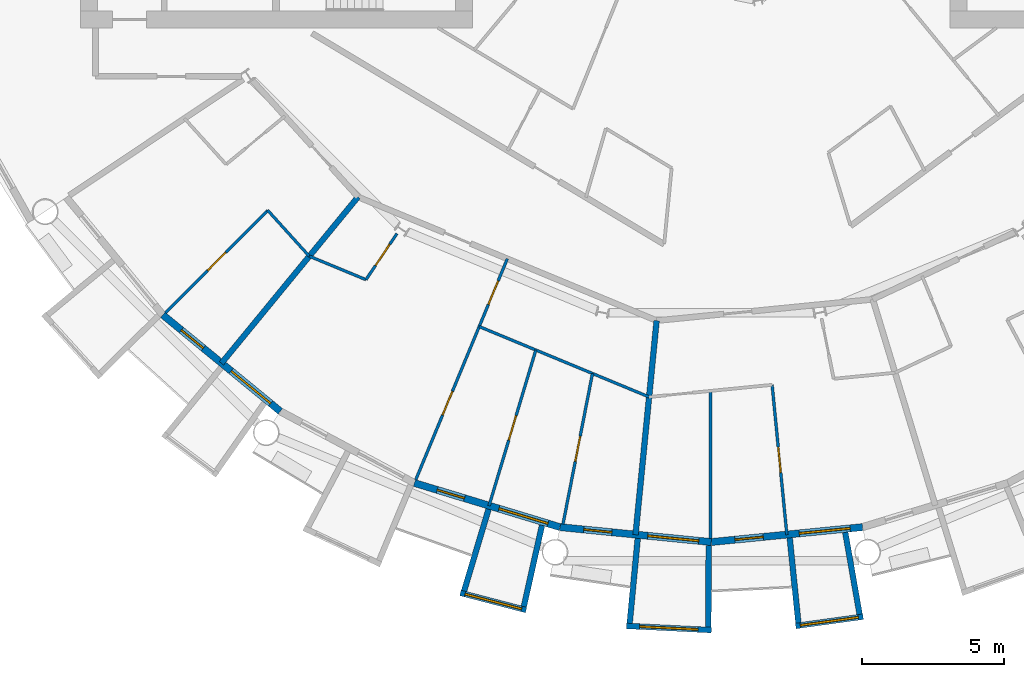
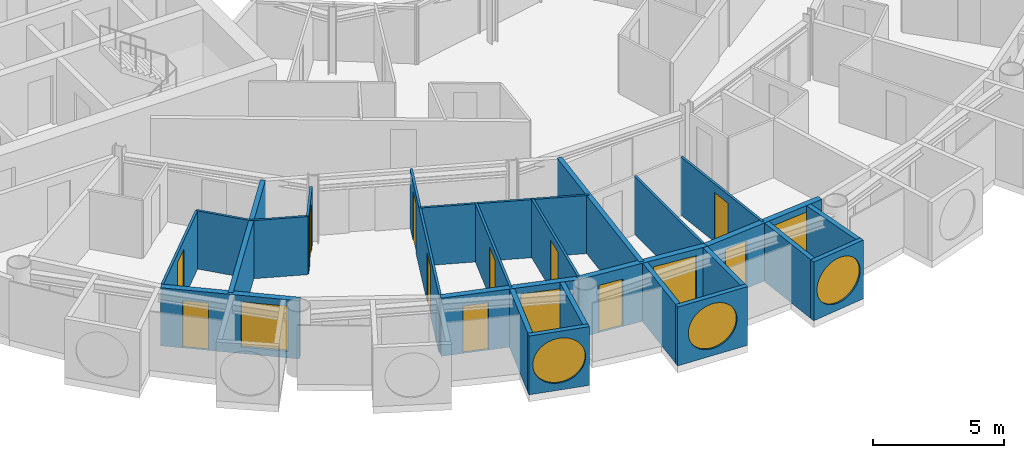
# One storey, part 14 of 27: 25 walls, 11 doors, 7 windows, 18 openings.
"""IFC4 building model written with IfcOpenShell, lengths in metres."""

from ifc_helpers import new_model, si_unit, direction, frame, frame_2d, origin, place, context, subcontext, project, spatial, rectangle, circle, extrude, material, layer, layer_set, type_object, element, fill, save


model = new_model("IFC4")

# Units and contexts
model_context = context("Model", 3, precision=1e-05, world=origin(), true_north=direction((0.0, 1.0)))
body_context = subcontext(model_context, "Body", "Model", "MODEL_VIEW")
ifc_project = project(units=[si_unit("LENGTHUNIT", "METRE"), si_unit("AREAUNIT", "SQUARE_METRE"), si_unit("VOLUMEUNIT", "CUBIC_METRE"), si_unit("PLANEANGLEUNIT", "RADIAN"), si_unit("MASSUNIT", "GRAM", prefix="KILO")], contexts=[model_context])

# Site, building, storey
site_placement = place(None, origin())
site = spatial("IfcSite", under=ifc_project, at=site_placement, CompositionType="ELEMENT")
building_placement = place(site_placement, origin())
building = spatial("IfcBuilding", under=site, at=building_placement, Name="Maasbend Ring Residences", CompositionType="ELEMENT")
storey_placement = place(building_placement, frame((0.0, 0.0, 120.800048828125)))
storey = spatial("IfcBuildingStorey", under=building, at=storey_placement, Name="L34", CompositionType="ELEMENT", Elevation=120.800048828125)

# Wall, opening, window
ifc_material_1 = material(Name="Pale anodised aluminium panel", Category="aluminium")
ifc_layer_1 = layer(ifc_material_1, 0.199951171875)
ifc_layer_set_1 = layer_set([ifc_layer_1], Name="EW-BOX")
wall_type_1 = type_object("IfcWallType", Name="EW-BOX", PredefinedType="SOLIDWALL", material=ifc_layer_set_1)
wall_1_placement = place(storey_placement, frame((-8.827880859375, -29.090087890625, -0.030029296875), z_axis=(0.0, 0.0, 1.0), x_axis=(0.967554339146, -0.252663018266, 0.0)))
wall_1 = element("IfcWall", 1, at=wall_1_placement, inside=storey, type_object=wall_type_1, Name="Box front S08", PredefinedType="SOLIDWALL", context=body_context, shape_type="SweptSolid", body=[
    extrude(rectangle(XDim=2.390625, YDim=0.199951171875, at=frame_2d((1.1953125, 0.0))), origin(), (0.0, 0.0, 1.0), 2.72998046875),
])
opening_1_placement = place(wall_1_placement, frame((0.15576171875, 0.0, 0.330078125)))
opening_1 = element("IfcOpeningElement", 2, at=opening_1_placement, cuts=wall_1, Name="Opening W-RD", PredefinedType="OPENING", context=body_context, shape_type="SweptSolid", body=[
    extrude(circle(Radius=1.0400390625, at=frame_2d((1.0400390625, 1.0400390625))), frame((0.0, 0.10986328125, 0.0), z_axis=(0.0, -1.0, 0.0), x_axis=(1.0, 0.0, 0.0)), (0.0, 0.0, 1.0), 0.219970703125),
])
ifc_material_2 = material(Name="Aluminium and clear glass", Category="aluminium")
window_type_1 = type_object("IfcWindowType", Name="W-RD", PartitioningType="SINGLE_PANEL", PredefinedType="WINDOW", material=ifc_material_2)
window_1_placement = place(opening_1_placement, origin())
window_1 = element("IfcWindow", 3, at=window_1_placement, inside=storey, type_object=window_type_1, Name="Round window S08", OverallHeight=2.080078125, OverallWidth=2.080078125, PartitioningType="SINGLE_PANEL", PredefinedType="WINDOW", context=body_context, shape_type="SweptSolid", body=[
    extrude(circle(Radius=1.0400390625, at=frame_2d((1.0400390625, 1.0400390625))), frame((0.0, 0.030029296875, 0.0), z_axis=(0.0, -1.0, 0.0), x_axis=(1.0, 0.0, 0.0)), (0.0, 0.0, 1.0), 0.06005859375),
])
fill(opening_1, window_1)

# Walls
wall_2_placement = place(storey_placement, frame((-7.8369140625, -26.14404296875, -0.030029296875), z_axis=(0.0, 0.0, 1.0), x_axis=(-0.287064767992, -0.957911174889, 0.0)))
element("IfcWall", 4, at=wall_2_placement, inside=storey, type_object=wall_type_1, Name="Box side wall S08 left", PredefinedType="SOLIDWALL", context=body_context, shape_type="SweptSolid", body=[
    extrude(rectangle(XDim=3.00634765625, YDim=0.199951171875, at=frame_2d((1.503173828125, 0.0))), origin(), (0.0, 0.0, 1.0), 2.72998046875),
])
wall_3_placement = place(storey_placement, frame((-5.95703125, -26.715087890625, -0.030029296875), z_axis=(0.0, 0.0, 1.0), x_axis=(-0.217857287091, -0.975980636315, 0.0)))
element("IfcWall", 5, at=wall_3_placement, inside=storey, type_object=wall_type_1, Name="Box side wall S08 right", PredefinedType="SOLIDWALL", context=body_context, shape_type="SweptSolid", body=[
    extrude(rectangle(XDim=2.92822265625, YDim=0.199951171875, at=frame_2d((1.464111328125, 0.0))), origin(), (0.0, 0.0, 1.0), 2.72998046875),
])

# Wall, opening, window
wall_4_placement = place(storey_placement, frame((-2.985107421875, -30.2529296875, -0.030029296875), z_axis=(0.0, 0.0, 1.0), x_axis=(0.998794083011, -0.049095618353, 0.0)))
wall_4 = element("IfcWall", 6, at=wall_4_placement, inside=storey, type_object=wall_type_1, Name="Box front S10", PredefinedType="SOLIDWALL", context=body_context, shape_type="SweptSolid", body=[
    extrude(rectangle(XDim=2.99365234375, YDim=0.199951171875, at=frame_2d((1.496826171875, 0.0))), origin(), (0.0, 0.0, 1.0), 2.72998046875),
])
opening_2_placement = place(wall_4_placement, frame((0.45654296875, 0.0, 0.330078125)))
opening_2 = element("IfcOpeningElement", 7, at=opening_2_placement, cuts=wall_4, Name="Opening W-RD", PredefinedType="OPENING", context=body_context, shape_type="SweptSolid", body=[
    extrude(circle(Radius=1.0400390625, at=frame_2d((1.0400390625, 1.0400390625))), frame((0.0, 0.10986328125, 0.0), z_axis=(0.0, -1.0, 0.0), x_axis=(1.0, 0.0, 0.0)), (0.0, 0.0, 1.0), 0.219970703125),
])
window_2_placement = place(opening_2_placement, origin())
window_2 = element("IfcWindow", 8, at=window_2_placement, inside=storey, type_object=window_type_1, Name="Round window S10", OverallHeight=2.080078125, OverallWidth=2.080078125, PartitioningType="SINGLE_PANEL", PredefinedType="WINDOW", context=body_context, shape_type="SweptSolid", body=[
    extrude(circle(Radius=1.0400390625, at=frame_2d((1.0400390625, 1.0400390625))), frame((0.0, 0.030029296875, 0.0), z_axis=(0.0, -1.0, 0.0), x_axis=(1.0, 0.0, 0.0)), (0.0, 0.0, 1.0), 0.06005859375),
])
fill(opening_2, window_2)

# Walls
wall_5_placement = place(storey_placement, frame((-2.5859375, -27.1708984375, -0.030029296875), z_axis=(0.0, 0.0, 1.0), x_axis=(-0.094548432284, -0.995520262954, 0.0)))
element("IfcWall", 9, at=wall_5_placement, inside=storey, type_object=wall_type_1, Name="Box side wall S10 left", PredefinedType="SOLIDWALL", context=body_context, shape_type="SweptSolid", body=[
    extrude(rectangle(XDim=3.005615234375, YDim=0.199951171875, at=frame_2d((1.5029296875, 0.0))), origin(), (0.0, 0.0, 1.0), 2.72998046875),
])
wall_6_placement = place(storey_placement, frame((-0.090087890625, -27.4169921875, -0.030029296875), z_axis=(0.0, 0.0, 1.0), x_axis=(-0.00347308367, -0.999993968827, 0.0)))
element("IfcWall", 10, at=wall_6_placement, inside=storey, type_object=wall_type_1, Name="Box side wall S10 right", PredefinedType="SOLIDWALL", context=body_context, shape_type="SweptSolid", body=[
    extrude(rectangle(XDim=2.882080078125, YDim=0.199951171875, at=frame_2d((1.44091796875, 0.0))), origin(), (0.0, 0.0, 1.0), 2.72998046875),
])

# Wall, opening, window
wall_7_placement = place(storey_placement, frame((2.97607421875, -30.25390625, -0.030029296875), z_axis=(0.0, 0.0, 1.0), x_axis=(0.99061207328, 0.136703036805, 0.0)))
wall_7 = element("IfcWall", 11, at=wall_7_placement, inside=storey, type_object=wall_type_1, Name="Box front S12", PredefinedType="SOLIDWALL", context=body_context, shape_type="SweptSolid", body=[
    extrude(rectangle(XDim=2.391357421875, YDim=0.199951171875, at=frame_2d((1.19580078125, 0.0))), origin(), (0.0, 0.0, 1.0), 2.72998046875),
])
opening_3_placement = place(wall_7_placement, frame((0.15576171875, 0.0, 0.330078125)))
opening_3 = element("IfcOpeningElement", 12, at=opening_3_placement, cuts=wall_7, Name="Opening W-RD", PredefinedType="OPENING", context=body_context, shape_type="SweptSolid", body=[
    extrude(circle(Radius=1.0400390625, at=frame_2d((1.0400390625, 1.0400390625))), frame((0.0, 0.10986328125, 0.0), z_axis=(0.0, -1.0, 0.0), x_axis=(1.0, 0.0, 0.0)), (0.0, 0.0, 1.0), 0.219970703125),
])
window_3_placement = place(opening_3_placement, origin())
window_3 = element("IfcWindow", 13, at=window_3_placement, inside=storey, type_object=window_type_1, Name="Round window S12", OverallHeight=2.080078125, OverallWidth=2.080078125, PartitioningType="SINGLE_PANEL", PredefinedType="WINDOW", context=body_context, shape_type="SweptSolid", body=[
    extrude(circle(Radius=1.0400390625, at=frame_2d((1.0400390625, 1.0400390625))), frame((0.0, 0.030029296875, 0.0), z_axis=(0.0, -1.0, 0.0), x_axis=(1.0, 0.0, 0.0)), (0.0, 0.0, 1.0), 0.06005859375),
])
fill(opening_3, window_3)

# Walls
wall_8_placement = place(storey_placement, frame((2.763916015625, -27.153076171875, -0.030029296875), z_axis=(0.0, 0.0, 1.0), x_axis=(0.101505487237, -0.994834979311, 0.0)))
element("IfcWall", 14, at=wall_8_placement, inside=storey, type_object=wall_type_1, Name="Box side wall S12 left", PredefinedType="SOLIDWALL", context=body_context, shape_type="SweptSolid", body=[
    extrude(rectangle(XDim=3.006591796875, YDim=0.199951171875, at=frame_2d((1.50341796875, 0.0))), origin(), (0.0, 0.0, 1.0), 2.72998046875),
])
wall_9_placement = place(storey_placement, frame((4.719970703125, -26.9609375, -0.030029296875), z_axis=(0.0, 0.0, 1.0), x_axis=(0.172463232037, -0.98501595601, 0.0)))
element("IfcWall", 15, at=wall_9_placement, inside=storey, type_object=wall_type_1, Name="Box side wall S12 right", PredefinedType="SOLIDWALL", context=body_context, shape_type="SweptSolid", body=[
    extrude(rectangle(XDim=2.928955078125, YDim=0.199951171875, at=frame_2d((1.46435546875, 0.0))), origin(), (0.0, 0.0, 1.0), 2.72998046875),
])

# Wall, openings, door, window
ifc_material_3 = material(Name="Aluminium clad insulated panel", Category="aluminium")
ifc_layer_2 = layer(ifc_material_3, 0.25)
ifc_layer_set_2 = layer_set([ifc_layer_2], Name="EW-GL")
wall_type_2 = type_object("IfcWallType", Name="EW-GL", PredefinedType="SOLIDWALL", material=ifc_layer_set_2)
wall_10_placement = place(storey_placement, frame((-19.303955078125, -19.303955078125, 0.0), z_axis=(0.0, 0.0, 1.0), x_axis=(0.773019449054, -0.634382322723, 0.0)))
wall_10 = element("IfcWall", 16, at=wall_10_placement, inside=storey, type_object=wall_type_2, Name="External wall S02", PredefinedType="SOLIDWALL", context=body_context, shape_type="SweptSolid", body=[
    extrude(rectangle(XDim=5.351806640625, YDim=0.25, at=frame_2d((2.67578125, 0.0))), origin(), (0.0, 0.0, 1.0), 2.699951171875),
])
opening_4_placement = place(wall_10_placement, frame((0.841064453125, 0.0, 0.0)))
opening_4 = element("IfcOpeningElement", 17, at=opening_4_placement, cuts=wall_10, Name="Opening D-LG", PredefinedType="OPENING", context=body_context, shape_type="SweptSolid", body=[
    extrude(rectangle(XDim=1.0, YDim=2.199951171875, at=frame_2d((0.5, 1.10009765625))), frame((0.0, 0.135009765625, 0.0), z_axis=(0.0, -1.0, 0.0), x_axis=(1.0, 0.0, 0.0)), (0.0, 0.0, 1.0), 0.27001953125),
])
opening_5_placement = place(wall_10_placement, frame((3.110595703125, 0.0, 0.300048828125)))
opening_5 = element("IfcOpeningElement", 18, at=opening_5_placement, cuts=wall_10, Name="Opening W-BX", PredefinedType="OPENING", context=body_context, shape_type="SweptSolid", body=[
    extrude(rectangle(XDim=1.800048828125, YDim=2.10009765625, at=frame_2d((0.89990234375, 1.050048828125))), frame((0.0, 0.135009765625, 0.0), z_axis=(0.0, -1.0, 0.0), x_axis=(1.0, 0.0, 0.0)), (0.0, 0.0, 1.0), 0.27001953125),
])
ifc_material_4 = material(Name="Aluminium and clear glass", Category="aluminium")
door_type_1 = type_object("IfcDoorType", Name="D-LG", OperationType="SINGLE_SWING_LEFT", PredefinedType="DOOR", material=ifc_material_4)
door_1_placement = place(opening_4_placement, origin())
door_1 = element("IfcDoor", 19, at=door_1_placement, inside=storey, type_object=door_type_1, Name="Loggia door S03", OperationType="SINGLE_SWING_LEFT", OverallHeight=2.199951171875, OverallWidth=1.0, PredefinedType="DOOR", context=body_context, shape_type="SweptSolid", body=[
    extrude(rectangle(XDim=1.0, YDim=2.199951171875, at=frame_2d((0.5, 1.10009765625))), frame((0.0, 0.02490234375, 0.0), z_axis=(0.0, -1.0, 0.0), x_axis=(1.0, 0.0, 0.0)), (0.0, 0.0, 1.0), 0.050048828125),
])
fill(opening_4, door_1)
ifc_material_5 = material(Name="Aluminium and clear glass", Category="aluminium")
window_type_2 = type_object("IfcWindowType", Name="W-BX", PartitioningType="DOUBLE_PANEL_VERTICAL", PredefinedType="WINDOW", material=ifc_material_5)
window_4_placement = place(opening_5_placement, origin())
window_4 = element("IfcWindow", 20, at=window_4_placement, inside=storey, type_object=window_type_2, Name="Window S04 room to box", OverallHeight=2.10009765625, OverallWidth=1.800048828125, PartitioningType="SINGLE_PANEL", PredefinedType="WINDOW", context=body_context, shape_type="SweptSolid", body=[
    extrude(rectangle(XDim=1.800048828125, YDim=2.10009765625, at=frame_2d((0.89990234375, 1.050048828125))), frame((0.0, 0.030029296875, 0.0), z_axis=(0.0, -1.0, 0.0), x_axis=(1.0, 0.0, 0.0)), (0.0, 0.0, 1.0), 0.06005859375),
])
fill(opening_5, window_4)

wall_11_placement = place(storey_placement, frame((-10.447021484375, -25.221923828125, 0.0), z_axis=(0.0, 0.0, 1.0), x_axis=(0.956965678721, -0.290201119486, 0.0)))
wall_11 = element("IfcWall", 21, at=wall_11_placement, inside=storey, type_object=wall_type_2, Name="External wall S04", PredefinedType="SOLIDWALL", context=body_context, shape_type="SweptSolid", body=[
    extrude(rectangle(XDim=5.351318359375, YDim=0.25, at=frame_2d((2.67578125, 0.0))), origin(), (0.0, 0.0, 1.0), 2.699951171875),
])
opening_6_placement = place(wall_11_placement, frame((0.841064453125, 0.0, 0.0)))
opening_6 = element("IfcOpeningElement", 22, at=opening_6_placement, cuts=wall_11, Name="Opening D-LG", PredefinedType="OPENING", context=body_context, shape_type="SweptSolid", body=[
    extrude(rectangle(XDim=1.0, YDim=2.199951171875, at=frame_2d((0.5, 1.10009765625))), frame((0.0, 0.135009765625, 0.0), z_axis=(0.0, -1.0, 0.0), x_axis=(1.0, 0.0, 0.0)), (0.0, 0.0, 1.0), 0.27001953125),
])
opening_7_placement = place(wall_11_placement, frame((3.110595703125, 0.0, 0.300048828125)))
opening_7 = element("IfcOpeningElement", 23, at=opening_7_placement, cuts=wall_11, Name="Opening W-BX", PredefinedType="OPENING", context=body_context, shape_type="SweptSolid", body=[
    extrude(rectangle(XDim=1.800048828125, YDim=2.10009765625, at=frame_2d((0.89990234375, 1.050048828125))), frame((0.0, 0.135009765625, 0.0), z_axis=(0.0, -1.0, 0.0), x_axis=(1.0, 0.0, 0.0)), (0.0, 0.0, 1.0), 0.27001953125),
])
door_2_placement = place(opening_6_placement, origin())
door_2 = element("IfcDoor", 24, at=door_2_placement, inside=storey, type_object=door_type_1, Name="Loggia door S07", OperationType="SINGLE_SWING_LEFT", OverallHeight=2.199951171875, OverallWidth=1.0, PredefinedType="DOOR", context=body_context, shape_type="SweptSolid", body=[
    extrude(rectangle(XDim=1.0, YDim=2.199951171875, at=frame_2d((0.5, 1.10009765625))), frame((0.0, 0.02490234375, 0.0), z_axis=(0.0, -1.0, 0.0), x_axis=(1.0, 0.0, 0.0)), (0.0, 0.0, 1.0), 0.050048828125),
])
fill(opening_6, door_2)
window_5_placement = place(opening_7_placement, origin())
window_5 = element("IfcWindow", 25, at=window_5_placement, inside=storey, type_object=window_type_2, Name="Window S08 room to box", OverallHeight=2.10009765625, OverallWidth=1.800048828125, PartitioningType="SINGLE_PANEL", PredefinedType="WINDOW", context=body_context, shape_type="SweptSolid", body=[
    extrude(rectangle(XDim=1.800048828125, YDim=2.10009765625, at=frame_2d((0.89990234375, 1.050048828125))), frame((0.0, 0.030029296875, 0.0), z_axis=(0.0, -1.0, 0.0), x_axis=(1.0, 0.0, 0.0)), (0.0, 0.0, 1.0), 0.06005859375),
])
fill(opening_7, window_5)

wall_12_placement = place(storey_placement, frame((-5.325927734375, -26.77490234375, 0.0), z_axis=(0.0, 0.0, 1.0), x_axis=(0.995173996315, -0.098126026407, 0.0)))
wall_12 = element("IfcWall", 26, at=wall_12_placement, inside=storey, type_object=wall_type_2, Name="External wall S05", PredefinedType="SOLIDWALL", context=body_context, shape_type="SweptSolid", body=[
    extrude(rectangle(XDim=5.351806640625, YDim=0.25, at=frame_2d((2.67578125, 0.0))), origin(), (0.0, 0.0, 1.0), 2.699951171875),
])
opening_8_placement = place(wall_12_placement, frame((0.841064453125, 0.0, 0.0)))
opening_8 = element("IfcOpeningElement", 27, at=opening_8_placement, cuts=wall_12, Name="Opening D-LG", PredefinedType="OPENING", context=body_context, shape_type="SweptSolid", body=[
    extrude(rectangle(XDim=1.0, YDim=2.199951171875, at=frame_2d((0.5, 1.10009765625))), frame((0.0, 0.135009765625, 0.0), z_axis=(0.0, -1.0, 0.0), x_axis=(1.0, 0.0, 0.0)), (0.0, 0.0, 1.0), 0.27001953125),
])
opening_9_placement = place(wall_12_placement, frame((3.110595703125, 0.0, 0.300048828125)))
opening_9 = element("IfcOpeningElement", 28, at=opening_9_placement, cuts=wall_12, Name="Opening W-BX", PredefinedType="OPENING", context=body_context, shape_type="SweptSolid", body=[
    extrude(rectangle(XDim=1.800048828125, YDim=2.10009765625, at=frame_2d((0.89990234375, 1.050048828125))), frame((0.0, 0.135009765625, 0.0), z_axis=(0.0, -1.0, 0.0), x_axis=(1.0, 0.0, 0.0)), (0.0, 0.0, 1.0), 0.27001953125),
])
door_3_placement = place(opening_8_placement, origin())
door_3 = element("IfcDoor", 29, at=door_3_placement, inside=storey, type_object=door_type_1, Name="Loggia door S09", OperationType="SINGLE_SWING_LEFT", OverallHeight=2.199951171875, OverallWidth=1.0, PredefinedType="DOOR", context=body_context, shape_type="SweptSolid", body=[
    extrude(rectangle(XDim=1.0, YDim=2.199951171875, at=frame_2d((0.5, 1.10009765625))), frame((0.0, 0.02490234375, 0.0), z_axis=(0.0, -1.0, 0.0), x_axis=(1.0, 0.0, 0.0)), (0.0, 0.0, 1.0), 0.050048828125),
])
fill(opening_8, door_3)
window_6_placement = place(opening_9_placement, origin())
window_6 = element("IfcWindow", 30, at=window_6_placement, inside=storey, type_object=window_type_2, Name="Window S10 room to box", OverallHeight=2.10009765625, OverallWidth=1.800048828125, PartitioningType="SINGLE_PANEL", PredefinedType="WINDOW", context=body_context, shape_type="SweptSolid", body=[
    extrude(rectangle(XDim=1.800048828125, YDim=2.10009765625, at=frame_2d((0.89990234375, 1.050048828125))), frame((0.0, 0.030029296875, 0.0), z_axis=(0.0, -1.0, 0.0), x_axis=(1.0, 0.0, 0.0)), (0.0, 0.0, 1.0), 0.06005859375),
])
fill(opening_9, window_6)

wall_13_placement = place(storey_placement, frame((0.0, -27.300048828125, 0.0), z_axis=(0.0, 0.0, 1.0), x_axis=(0.995173996315, 0.098126026407, 0.0)))
wall_13 = element("IfcWall", 31, at=wall_13_placement, inside=storey, type_object=wall_type_2, Name="External wall S06", PredefinedType="SOLIDWALL", context=body_context, shape_type="SweptSolid", body=[
    extrude(rectangle(XDim=5.351806640625, YDim=0.25, at=frame_2d((2.67578125, 0.0))), origin(), (0.0, 0.0, 1.0), 2.699951171875),
])
opening_10_placement = place(wall_13_placement, frame((0.841064453125, 0.0, 0.0)))
opening_10 = element("IfcOpeningElement", 32, at=opening_10_placement, cuts=wall_13, Name="Opening D-LG", PredefinedType="OPENING", context=body_context, shape_type="SweptSolid", body=[
    extrude(rectangle(XDim=1.0, YDim=2.199951171875, at=frame_2d((0.5, 1.10009765625))), frame((0.0, 0.135009765625, 0.0), z_axis=(0.0, -1.0, 0.0), x_axis=(1.0, 0.0, 0.0)), (0.0, 0.0, 1.0), 0.27001953125),
])
opening_11_placement = place(wall_13_placement, frame((3.110595703125, 0.0, 0.300048828125)))
opening_11 = element("IfcOpeningElement", 33, at=opening_11_placement, cuts=wall_13, Name="Opening W-BX", PredefinedType="OPENING", context=body_context, shape_type="SweptSolid", body=[
    extrude(rectangle(XDim=1.800048828125, YDim=2.10009765625, at=frame_2d((0.89990234375, 1.050048828125))), frame((0.0, 0.135009765625, 0.0), z_axis=(0.0, -1.0, 0.0), x_axis=(1.0, 0.0, 0.0)), (0.0, 0.0, 1.0), 0.27001953125),
])
door_4_placement = place(opening_10_placement, origin())
door_4 = element("IfcDoor", 34, at=door_4_placement, inside=storey, type_object=door_type_1, Name="Loggia door S11", OperationType="SINGLE_SWING_LEFT", OverallHeight=2.199951171875, OverallWidth=1.0, PredefinedType="DOOR", context=body_context, shape_type="SweptSolid", body=[
    extrude(rectangle(XDim=1.0, YDim=2.199951171875, at=frame_2d((0.5, 1.10009765625))), frame((0.0, 0.02490234375, 0.0), z_axis=(0.0, -1.0, 0.0), x_axis=(1.0, 0.0, 0.0)), (0.0, 0.0, 1.0), 0.050048828125),
])
fill(opening_10, door_4)
window_7_placement = place(opening_11_placement, origin())
window_7 = element("IfcWindow", 35, at=window_7_placement, inside=storey, type_object=window_type_2, Name="Window S12 room to box", OverallHeight=2.10009765625, OverallWidth=1.800048828125, PartitioningType="SINGLE_PANEL", PredefinedType="WINDOW", context=body_context, shape_type="SweptSolid", body=[
    extrude(rectangle(XDim=1.800048828125, YDim=2.10009765625, at=frame_2d((0.89990234375, 1.050048828125))), frame((0.0, 0.030029296875, 0.0), z_axis=(0.0, -1.0, 0.0), x_axis=(1.0, 0.0, 0.0)), (0.0, 0.0, 1.0), 0.06005859375),
])
fill(opening_11, window_7)

# Walls
ifc_material_6 = material(Name="Gypsum board on steel studs", Category="steel")
ifc_layer_3 = layer(ifc_material_6, 0.10009765625)
ifc_layer_set_3 = layer_set([ifc_layer_3], Name="PARTITION 100 GYPSUM")
wall_type_3 = type_object("IfcWallType", Name="PARTITION 100 GYPSUM", PredefinedType="PARTITIONING", material=ifc_layer_set_3)
wall_14_placement = place(storey_placement, frame((-15.616943359375, -15.616943359375, 0.0), z_axis=(0.0, 0.0, 1.0), x_axis=(0.671144831591, -0.741326254107, 0.0)))
element("IfcWall", 36, at=wall_14_placement, inside=storey, type_object=wall_type_3, Name="U-L34-w002", PredefinedType="PARTITIONING", context=body_context, shape_type="SweptSolid", body=[
    extrude(rectangle(XDim=2.18115234375, YDim=0.10009765625, at=frame_2d((1.090576171875, 0.0))), origin(), (0.0, 0.0, 1.0), 2.699951171875),
])
wall_15_placement = place(storey_placement, frame((-14.14697265625, -17.238037109375, 0.0), z_axis=(0.0, 0.0, 1.0), x_axis=(0.923874819588, -0.382694810171, 0.0)))
element("IfcWall", 37, at=wall_15_placement, inside=storey, type_object=wall_type_3, Name="U-L34-w011", PredefinedType="PARTITIONING", context=body_context, shape_type="SweptSolid", body=[
    extrude(rectangle(XDim=2.158203125, YDim=0.10009765625, at=frame_2d((1.0791015625, 0.0))), origin(), (0.0, 0.0, 1.0), 2.699951171875),
])
wall_16_placement = place(storey_placement, frame((-8.1640625, -19.716064453125, 0.0), z_axis=(0.0, 0.0, 1.0), x_axis=(0.92387253274, -0.38270033087, 0.0)))
element("IfcWall", 38, at=wall_16_placement, inside=storey, type_object=wall_type_3, Name="U-L34-w012", PredefinedType="PARTITIONING", context=body_context, shape_type="SweptSolid", body=[
    extrude(rectangle(XDim=6.47509765625, YDim=0.10009765625, at=frame_2d((3.237548828125, 0.0))), origin(), (0.0, 0.0, 1.0), 2.699951171875),
])

# Wall, opening, door
wall_17_placement = place(storey_placement, frame((-19.2099609375, -19.221923828125, 0.0), z_axis=(0.0, 0.0, 1.0), x_axis=(0.706914880313, 0.707298629994, 0.0)))
wall_17 = element("IfcWall", 39, at=wall_17_placement, inside=storey, type_object=wall_type_3, Name="U-L34-w036", PredefinedType="PARTITIONING", context=body_context, shape_type="SweptSolid", body=[
    extrude(rectangle(XDim=5.089599609375, YDim=0.10009765625, at=frame_2d((2.544921875, 0.0))), origin(), (0.0, 0.0, 1.0), 2.699951171875),
])
opening_12_placement = place(wall_17_placement, frame((2.094970703125, 0.0, 0.0)))
opening_12 = element("IfcOpeningElement", 40, at=opening_12_placement, cuts=wall_17, Name="Opening D-3435", PredefinedType="OPENING", context=body_context, shape_type="SweptSolid", body=[
    extrude(rectangle(XDim=0.89990234375, YDim=2.300048828125, at=frame_2d((0.449951171875, 1.14990234375))), frame((0.0, 0.06005859375, 0.0), z_axis=(0.0, -1.0, 0.0), x_axis=(1.0, 0.0, 0.0)), (0.0, 0.0, 1.0), 0.1201171875),
])
ifc_material_7 = material(Name="Timber, painted", Category="wood")
door_type_2 = type_object("IfcDoorType", Name="INTERNAL DOOR 900 X 2300", OperationType="NOTDEFINED", PredefinedType="DOOR", material=ifc_material_7)
door_5_placement = place(opening_12_placement, origin())
door_5 = element("IfcDoor", 41, at=door_5_placement, inside=storey, type_object=door_type_2, Name="D-3435", OperationType="SINGLE_SWING_RIGHT", OverallHeight=2.300048828125, OverallWidth=0.89990234375, PredefinedType="DOOR", context=body_context, shape_type="SweptSolid", body=[
    extrude(rectangle(XDim=0.89990234375, YDim=2.300048828125, at=frame_2d((0.449951171875, 1.14990234375))), frame((0.0, 0.02490234375, 0.0), z_axis=(0.0, -1.0, 0.0), x_axis=(1.0, 0.0, 0.0)), (0.0, 0.0, 1.0), 0.050048828125),
])
fill(opening_12, door_5)

wall_18_placement = place(storey_placement, frame((-12.153076171875, -18.06396484375, 0.0), z_axis=(0.0, 0.0, 1.0), x_axis=(0.557893831879, 0.829912328112, 0.0)))
wall_18 = element("IfcWall", 42, at=wall_18_placement, inside=storey, type_object=wall_type_3, Name="U-L34-w042", PredefinedType="PARTITIONING", context=body_context, shape_type="SweptSolid", body=[
    extrude(rectangle(XDim=1.95556640625, YDim=0.10009765625, at=frame_2d((0.977783203125, 0.0))), origin(), (0.0, 0.0, 1.0), 2.699951171875),
])
opening_13_placement = place(wall_18_placement, frame((0.60009765625, 0.0, 0.0)))
opening_13 = element("IfcOpeningElement", 43, at=opening_13_placement, cuts=wall_18, Name="Opening D-3437", PredefinedType="OPENING", context=body_context, shape_type="SweptSolid", body=[
    extrude(rectangle(XDim=0.89990234375, YDim=2.300048828125, at=frame_2d((0.449951171875, 1.14990234375))), frame((0.0, 0.06005859375, 0.0), z_axis=(0.0, -1.0, 0.0), x_axis=(1.0, 0.0, 0.0)), (0.0, 0.0, 1.0), 0.1201171875),
])
door_6_placement = place(opening_13_placement, origin())
door_6 = element("IfcDoor", 44, at=door_6_placement, inside=storey, type_object=door_type_2, Name="D-3437", OperationType="SINGLE_SWING_RIGHT", OverallHeight=2.300048828125, OverallWidth=0.89990234375, PredefinedType="DOOR", context=body_context, shape_type="SweptSolid", body=[
    extrude(rectangle(XDim=0.89990234375, YDim=2.300048828125, at=frame_2d((0.449951171875, 1.14990234375))), frame((0.0, 0.02490234375, 0.0), z_axis=(0.0, -1.0, 0.0), x_axis=(1.0, 0.0, 0.0)), (0.0, 0.0, 1.0), 0.050048828125),
])
fill(opening_13, door_6)

# Wall, openings, doors
wall_19_placement = place(storey_placement, frame((-10.39892578125, -25.10595703125, 0.0), z_axis=(0.0, 0.0, 1.0), x_axis=(0.382697543868, 0.923873687209, 0.0)))
wall_19 = element("IfcWall", 45, at=wall_19_placement, inside=storey, type_object=wall_type_3, Name="U-L34-w043", PredefinedType="PARTITIONING", context=body_context, shape_type="SweptSolid", body=[
    extrude(rectangle(XDim=8.4189453125, YDim=0.10009765625, at=frame_2d((4.20947265625, 0.0))), origin(), (0.0, 0.0, 1.0), 2.699951171875),
])
opening_14_placement = place(wall_19_placement, frame((6.677001953125, 0.0, 0.0)))
opening_14 = element("IfcOpeningElement", 46, at=opening_14_placement, cuts=wall_19, Name="Opening D-3438", PredefinedType="OPENING", context=body_context, shape_type="SweptSolid", body=[
    extrude(rectangle(XDim=0.89990234375, YDim=2.300048828125, at=frame_2d((0.449951171875, 1.14990234375))), frame((0.0, 0.06005859375, 0.0), z_axis=(0.0, -1.0, 0.0), x_axis=(1.0, 0.0, 0.0)), (0.0, 0.0, 1.0), 0.1201171875),
])
opening_15_placement = place(wall_19_placement, frame((2.468017578125, 0.0, 0.0)))
opening_15 = element("IfcOpeningElement", 47, at=opening_15_placement, cuts=wall_19, Name="Opening D-3439", PredefinedType="OPENING", context=body_context, shape_type="SweptSolid", body=[
    extrude(rectangle(XDim=0.89990234375, YDim=2.300048828125, at=frame_2d((0.449951171875, 1.14990234375))), frame((0.0, 0.06005859375, 0.0), z_axis=(0.0, -1.0, 0.0), x_axis=(1.0, 0.0, 0.0)), (0.0, 0.0, 1.0), 0.1201171875),
])
door_7_placement = place(opening_14_placement, origin())
door_7 = element("IfcDoor", 48, at=door_7_placement, inside=storey, type_object=door_type_2, Name="D-3438", OperationType="SINGLE_SWING_RIGHT", OverallHeight=2.300048828125, OverallWidth=0.89990234375, PredefinedType="DOOR", context=body_context, shape_type="SweptSolid", body=[
    extrude(rectangle(XDim=0.89990234375, YDim=2.300048828125, at=frame_2d((0.449951171875, 1.14990234375))), frame((0.0, 0.02490234375, 0.0), z_axis=(0.0, -1.0, 0.0), x_axis=(1.0, 0.0, 0.0)), (0.0, 0.0, 1.0), 0.050048828125),
])
fill(opening_14, door_7)
door_8_placement = place(opening_15_placement, origin())
door_8 = element("IfcDoor", 49, at=door_8_placement, inside=storey, type_object=door_type_2, Name="D-3439", OperationType="SINGLE_SWING_LEFT", OverallHeight=2.300048828125, OverallWidth=0.89990234375, PredefinedType="DOOR", context=body_context, shape_type="SweptSolid", body=[
    extrude(rectangle(XDim=0.89990234375, YDim=2.300048828125, at=frame_2d((0.449951171875, 1.14990234375))), frame((0.0, 0.02490234375, 0.0), z_axis=(0.0, -1.0, 0.0), x_axis=(1.0, 0.0, 0.0)), (0.0, 0.0, 1.0), 0.050048828125),
])
fill(opening_15, door_8)

# Wall, opening, door
wall_20_placement = place(storey_placement, frame((-7.821044921875, -26.02490234375, 0.0), z_axis=(0.0, 0.0, 1.0), x_axis=(0.287793773423, 0.957692405723, 0.0)))
wall_20 = element("IfcWall", 50, at=wall_20_placement, inside=storey, type_object=wall_type_3, Name="U-L34-w047", PredefinedType="PARTITIONING", context=body_context, shape_type="SweptSolid", body=[
    extrude(rectangle(XDim=5.72607421875, YDim=0.10009765625, at=frame_2d((2.863037109375, 0.0))), origin(), (0.0, 0.0, 1.0), 2.699951171875),
])
opening_16_placement = place(wall_20_placement, frame((2.4130859375, 0.0, 0.0)))
opening_16 = element("IfcOpeningElement", 51, at=opening_16_placement, cuts=wall_20, Name="Opening D-3440", PredefinedType="OPENING", context=body_context, shape_type="SweptSolid", body=[
    extrude(rectangle(XDim=0.89990234375, YDim=2.300048828125, at=frame_2d((0.449951171875, 1.14990234375))), frame((0.0, 0.06005859375, 0.0), z_axis=(0.0, -1.0, 0.0), x_axis=(1.0, 0.0, 0.0)), (0.0, 0.0, 1.0), 0.1201171875),
])
door_9_placement = place(opening_16_placement, origin())
door_9 = element("IfcDoor", 52, at=door_9_placement, inside=storey, type_object=door_type_2, Name="D-3440", OperationType="SINGLE_SWING_LEFT", OverallHeight=2.300048828125, OverallWidth=0.89990234375, PredefinedType="DOOR", context=body_context, shape_type="SweptSolid", body=[
    extrude(rectangle(XDim=0.89990234375, YDim=2.300048828125, at=frame_2d((0.449951171875, 1.14990234375))), frame((0.0, 0.02490234375, 0.0), z_axis=(0.0, -1.0, 0.0), x_axis=(1.0, 0.0, 0.0)), (0.0, 0.0, 1.0), 0.050048828125),
])
fill(opening_16, door_9)

wall_21_placement = place(storey_placement, frame((-5.217041015625, -26.669921875, 0.0), z_axis=(0.0, 0.0, 1.0), x_axis=(0.192109041462, 0.981373586453, 0.0)))
wall_21 = element("IfcWall", 53, at=wall_21_placement, inside=storey, type_object=wall_type_3, Name="U-L34-w050", PredefinedType="PARTITIONING", context=body_context, shape_type="SweptSolid", body=[
    extrude(rectangle(XDim=5.403564453125, YDim=0.10009765625, at=frame_2d((2.70166015625, 0.0))), origin(), (0.0, 0.0, 1.0), 2.699951171875),
])
opening_17_placement = place(wall_21_placement, frame((2.251953125, 0.0, 0.0)))
opening_17 = element("IfcOpeningElement", 54, at=opening_17_placement, cuts=wall_21, Name="Opening D-3441", PredefinedType="OPENING", context=body_context, shape_type="SweptSolid", body=[
    extrude(rectangle(XDim=0.89990234375, YDim=2.300048828125, at=frame_2d((0.449951171875, 1.14990234375))), frame((0.0, 0.06005859375, 0.0), z_axis=(0.0, -1.0, 0.0), x_axis=(1.0, 0.0, 0.0)), (0.0, 0.0, 1.0), 0.1201171875),
])
door_10_placement = place(opening_17_placement, origin())
door_10 = element("IfcDoor", 55, at=door_10_placement, inside=storey, type_object=door_type_2, Name="D-3441", OperationType="SINGLE_SWING_RIGHT", OverallHeight=2.300048828125, OverallWidth=0.89990234375, PredefinedType="DOOR", context=body_context, shape_type="SweptSolid", body=[
    extrude(rectangle(XDim=0.89990234375, YDim=2.300048828125, at=frame_2d((0.449951171875, 1.14990234375))), frame((0.0, 0.02490234375, 0.0), z_axis=(0.0, -1.0, 0.0), x_axis=(1.0, 0.0, 0.0)), (0.0, 0.0, 1.0), 0.050048828125),
])
fill(opening_17, door_10)

# Wall
wall_22_placement = place(storey_placement, frame((-0.02587890625, -27.175048828125, 0.0), z_axis=(0.0, 0.0, 1.0), x_axis=(0.00093971673, 0.999999558466, 0.0)))
element("IfcWall", 56, at=wall_22_placement, inside=storey, type_object=wall_type_3, Name="U-L34-w056", PredefinedType="PARTITIONING", context=body_context, shape_type="SweptSolid", body=[
    extrude(rectangle(XDim=5.196044921875, YDim=0.10009765625, at=frame_2d((2.59814453125, 0.0))), origin(), (0.0, 0.0, 1.0), 2.699951171875),
])

# Wall, opening, door
wall_23_placement = place(storey_placement, frame((2.14404296875, -21.76611328125, 0.0), z_axis=(0.0, 0.0, 1.0), x_axis=(0.098054199821, -0.995181075934, 0.0)))
wall_23 = element("IfcWall", 57, at=wall_23_placement, inside=storey, type_object=wall_type_3, Name="U-L34-w060", PredefinedType="PARTITIONING", context=body_context, shape_type="SweptSolid", body=[
    extrude(rectangle(XDim=5.303466796875, YDim=0.10009765625, at=frame_2d((2.65185546875, 0.0))), origin(), (0.0, 0.0, 1.0), 2.699951171875),
])
opening_18_placement = place(wall_23_placement, frame((2.201904296875, 0.0, 0.0)))
opening_18 = element("IfcOpeningElement", 58, at=opening_18_placement, cuts=wall_23, Name="Opening D-3444", PredefinedType="OPENING", context=body_context, shape_type="SweptSolid", body=[
    extrude(rectangle(XDim=0.89990234375, YDim=2.300048828125, at=frame_2d((0.449951171875, 1.14990234375))), frame((0.0, 0.06005859375, 0.0), z_axis=(0.0, -1.0, 0.0), x_axis=(1.0, 0.0, 0.0)), (0.0, 0.0, 1.0), 0.1201171875),
])
door_11_placement = place(opening_18_placement, origin())
door_11 = element("IfcDoor", 59, at=door_11_placement, inside=storey, type_object=door_type_2, Name="D-3444", OperationType="SINGLE_SWING_RIGHT", OverallHeight=2.300048828125, OverallWidth=0.89990234375, PredefinedType="DOOR", context=body_context, shape_type="SweptSolid", body=[
    extrude(rectangle(XDim=0.89990234375, YDim=2.300048828125, at=frame_2d((0.449951171875, 1.14990234375))), frame((0.0, 0.02490234375, 0.0), z_axis=(0.0, -1.0, 0.0), x_axis=(1.0, 0.0, 0.0)), (0.0, 0.0, 1.0), 0.050048828125),
])
fill(opening_18, door_11)

# Walls
ifc_material_8 = material(Name="Concrete C30/37", Category="concrete")
ifc_layer_4 = layer(ifc_material_8, 0.199951171875)
ifc_layer_set_4 = layer_set([ifc_layer_4], Name="Concrete C30/37")
wall_type_4 = type_object("IfcWallType", Name="PARTY WALL 200 CONCRETE", PredefinedType="PARTITIONING", material=ifc_layer_set_4)
wall_24_placement = place(storey_placement, frame((-17.239990234375, -21.007080078125, 0.0), z_axis=(0.0, 0.0, 1.0), x_axis=(0.634381303318, 0.773020285633, 0.0)))
element("IfcWall", 60, at=wall_24_placement, inside=storey, type_object=wall_type_4, Name="U-L34-w037", PredefinedType="PARTITIONING", context=body_context, shape_type="SweptSolid", body=[
    extrude(rectangle(XDim=7.57568359375, YDim=0.199951171875, at=frame_2d((3.787841796875, 0.0))), origin(), (0.0, 0.0, 1.0), 2.699951171875),
])
wall_25_placement = place(storey_placement, frame((-2.6640625, -27.0439453125, 0.0), z_axis=(0.0, 0.0, 1.0), x_axis=(0.098115395479, 0.995175044487, 0.0)))
element("IfcWall", 61, at=wall_25_placement, inside=storey, type_object=wall_type_4, Name="U-L34-w054", PredefinedType="PARTITIONING", context=body_context, shape_type="SweptSolid", body=[
    extrude(rectangle(XDim=7.574462890625, YDim=0.199951171875, at=frame_2d((3.787109375, 0.0))), origin(), (0.0, 0.0, 1.0), 2.699951171875),
])

save(model, "model.ifc")
